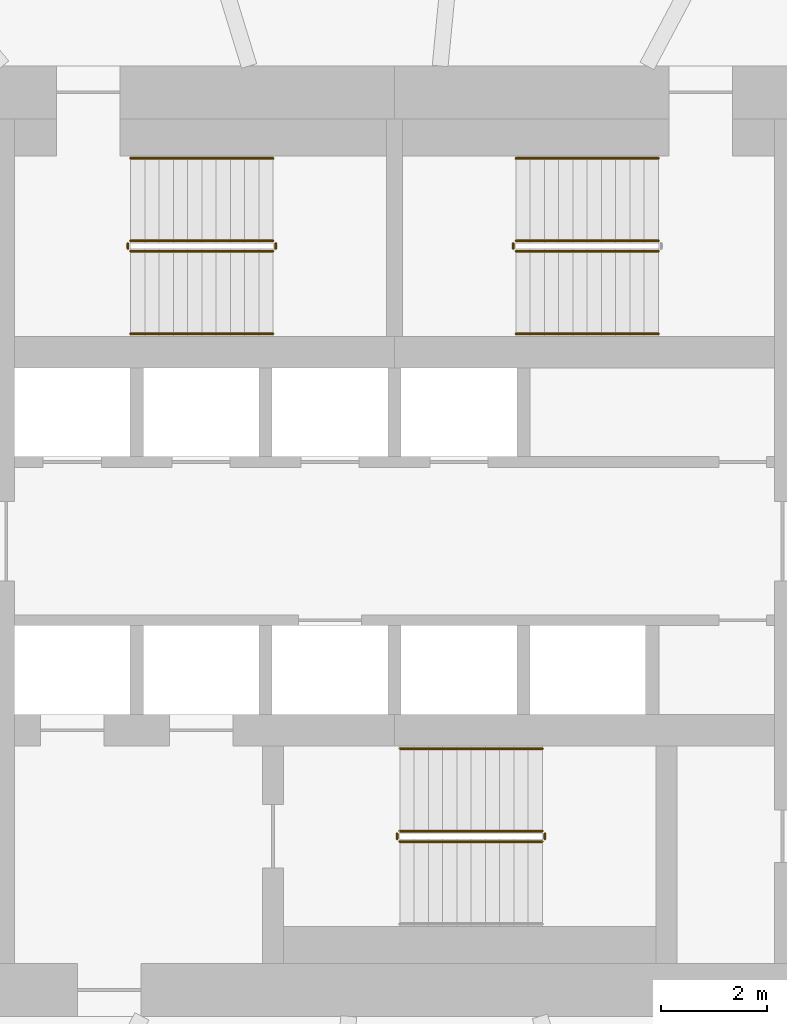
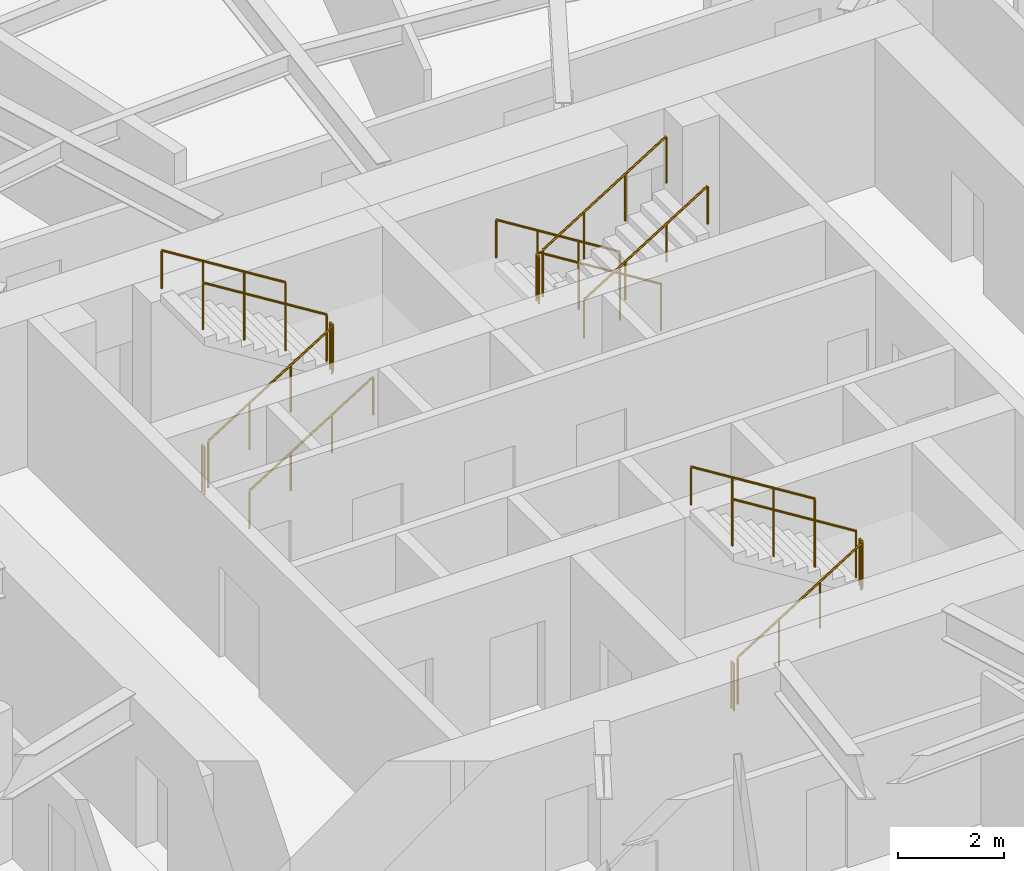
# One storey, part 13 of 16: 16 railings.
"""IFC4 building model written with IfcOpenShell, lengths in metres."""

import ifcopenshell
import ifcopenshell.guid

model = None  # the IFC model being written
_history = None  # IfcOwnerHistory: only IFC2X3 demands one
_inside = {}  # id of a spatial element -> (the spatial element, [elements in it])
_under = {}  # id of a project, library or spatial element -> (it, [spatial elements below it])
_declared = {}  # id of a project -> (the project, [libraries it declares])
_typed = {}  # id of a type object -> (the type object, [elements of that type])
_made_of = {}  # id of a material, layer set ... -> (it, [elements and type objects made of it])


def new_model(schema):
    """Start an empty IFC model of exactly this schema.

    Asked for "IFC4X3", IfcOpenShell would pick the latest addendum, in which some entities
    have other attributes; the version numbers below select the first issue.
    IFC2X3 requires an IfcOwnerHistory on every rooted entity: one is made here for all.
    """
    global model, _history
    if schema == "IFC4X3":
        model = ifcopenshell.file(schema_version=(4, 3, 0, 0))
    else:
        model = ifcopenshell.file(schema=schema)
    _inside.clear()
    _under.clear()
    _declared.clear()
    _typed.clear()
    _made_of.clear()
    _history = None
    if model.schema == "IFC2X3":
        org = make("IfcOrganization", Name="unknown")
        user = make(
            "IfcPersonAndOrganization",
            ThePerson=make("IfcPerson", FamilyName="unknown"),
            TheOrganization=org,
        )
        app = make(
            "IfcApplication",
            ApplicationDeveloper=org,
            Version="unknown",
            ApplicationFullName="unknown",
            ApplicationIdentifier="unknown",
        )
        _history = make(
            "IfcOwnerHistory",
            OwningUser=user,
            OwningApplication=app,
            ChangeAction="ADDED",
            CreationDate=0,
        )
    return model


def make(cls, **values):
    """One entity of the class cls with the attributes given. An attribute that is None is left unset."""
    return model.create_entity(
        cls, **{name: value for name, value in values.items() if value is not None}
    )


def rooted(cls, **values):
    """An entity with a GlobalId (a new one), such as an element, a storey or a relation."""
    return make(cls, GlobalId=ifcopenshell.guid.new(), OwnerHistory=_history, **values)


def si_unit(unit_type, name, prefix=None):
    """IfcSIUnit, for example si_unit("LENGTHUNIT", "METRE", prefix="MILLI")."""
    return make("IfcSIUnit", UnitType=unit_type, Prefix=prefix, Name=name)


def assignment(units):
    """IfcUnitAssignment: the units of a project."""
    return None if units is None else make("IfcUnitAssignment", Units=units)


def point(xyz):
    """IfcCartesianPoint."""
    return None if xyz is None else make("IfcCartesianPoint", Coordinates=xyz)


def direction(xyz):
    """IfcDirection."""
    return None if xyz is None else make("IfcDirection", DirectionRatios=xyz)


def frame(location, z_axis=None, x_axis=None):
    """IfcAxis2Placement3D, a coordinate frame: its origin and axes. An axis left out is left unset."""
    return make(
        "IfcAxis2Placement3D",
        Location=point(location),
        Axis=direction(z_axis),
        RefDirection=direction(x_axis),
    )


def frame_2d(location, x_axis=None):
    """IfcAxis2Placement2D, a coordinate frame in the plane: its origin and x axis."""
    return make(
        "IfcAxis2Placement2D", Location=point(location), RefDirection=direction(x_axis)
    )


def origin():
    """The frame at (0, 0, 0) with its axes left unset."""
    return frame((0.0, 0.0, 0.0))


def origin_2d():
    """The frame at (0, 0) in the plane with its x axis left unset."""
    return frame_2d((0.0, 0.0))


def place(relative_to, where):
    """IfcLocalPlacement: puts the frame where relative to a parent placement (None: the world)."""
    return make(
        "IfcLocalPlacement", PlacementRelTo=relative_to, RelativePlacement=where
    )


def context(
    kind, dimensions, precision=None, world=None, true_north=None, identifier=None
):
    """IfcGeometricRepresentationContext, for example the 3D "Model" context."""
    return make(
        "IfcGeometricRepresentationContext",
        ContextIdentifier=identifier,
        ContextType=kind,
        CoordinateSpaceDimension=dimensions,
        Precision=precision,
        WorldCoordinateSystem=world,
        TrueNorth=true_north,
    )


def subcontext(parent, identifier, kind, view, scale=None):
    """IfcGeometricRepresentationSubContext, for example "Body" below "Model"."""
    return make(
        "IfcGeometricRepresentationSubContext",
        ContextIdentifier=identifier,
        ContextType=kind,
        ParentContext=parent,
        TargetScale=scale,
        TargetView=view,
    )


def project(units=None, contexts=None):
    """IfcProject with its units and contexts."""
    return rooted(
        "IfcProject",
        Name="project",
        RepresentationContexts=contexts,
        UnitsInContext=assignment(units),
    )


def spatial(cls, under=None, at=None, **own):
    """A site, building, storey or space (cls), placed at a placement, below another one or the project."""
    s = rooted(cls, ObjectPlacement=at, **own)
    if under is not None:
        _under.setdefault(under.id(), (under, []))[1].append(s)
    return s


def profile(cls, at=None, kind="AREA", **sizes):
    """A parametric profile (cls). Its sizes go by their IFC names, for example OverallWidth=200.0."""
    return make(cls, ProfileType=kind, Position=at, **sizes)


def circle(**sizes):
    """IfcCircleProfileDef."""
    return profile("IfcCircleProfileDef", **sizes)


def extrude(swept, where, along, depth):
    """IfcExtrudedAreaSolid: the profile swept, set in the frame where, extruded along a direction by depth."""
    return make(
        "IfcExtrudedAreaSolid",
        SweptArea=swept,
        Position=where,
        ExtrudedDirection=direction(along),
        Depth=depth,
    )


def shape(context_of_items, identifier, shape_type, items):
    """IfcShapeRepresentation: the items that make up one representation, for example the "Body"."""
    return make(
        "IfcShapeRepresentation",
        ContextOfItems=context_of_items,
        RepresentationIdentifier=identifier,
        RepresentationType=shape_type,
        Items=items,
    )


def material(Name=None, Category=None):
    """IfcMaterial."""
    return make("IfcMaterial", Name=Name, Category=Category)


def made_of(thing, what):
    """Note that an element or type object is made of a material, layer set ...; save() writes the relation."""
    if what is not None:
        _made_of.setdefault(what.id(), (what, []))[1].append(thing)
    return thing


def type_object(cls, material=None, **own):
    """A type object (cls), such as IfcWallType, which elements share."""
    return made_of(rooted(cls, **own), material)


def element(
    cls,
    number,
    at=None,
    inside=None,
    cuts=None,
    type_object=None,
    material=None,
    context=None,
    identifier="Body",
    shape_type=None,
    held_by="IfcProductDefinitionShape",
    body=None,
    shapes=None,
    **own,
):
    """One element of the class cls, such as IfcWall. Its Tag is "e" and its number.

    at: its placement. inside: the storey or other place that contains it. cuts: it is an
    opening in that element (IfcRelVoidsElement). A single representation is given by context,
    identifier, shape_type and body (its items); several are given by shapes. held_by: the class
    of the entity that holds the representations. save() writes the other relations.
    """
    e = rooted(cls, Tag="e%d" % number, ObjectPlacement=at, **own)
    if body is not None:
        shapes = [shape(context, identifier, shape_type, body)]
    if shapes is not None:
        e.Representation = make(held_by, Representations=shapes)
    if inside is not None:
        _inside.setdefault(inside.id(), (inside, []))[1].append(e)
    if cuts is not None:
        rooted(
            "IfcRelVoidsElement", RelatingBuildingElement=cuts, RelatedOpeningElement=e
        )
    if type_object is not None:
        _typed.setdefault(type_object.id(), (type_object, []))[1].append(e)
    return made_of(e, material)


def aggregate(whole, parts):
    """IfcRelAggregates: a whole, such as a stair, and the parts it consists of."""
    return rooted("IfcRelAggregates", RelatingObject=whole, RelatedObjects=parts)


def save(model, path):
    """Write the relations noted so far, then the file.

    IfcRelAggregates (storeys below a building ...), IfcRelContainedInSpatialStructure (elements
    in a storey), IfcRelDefinesByType, IfcRelAssociatesMaterial and IfcRelDeclares: one each for
    every whole, place, type object, material and project.
    """
    for whole, parts in _under.values():
        aggregate(whole, parts)
    for where, things in _inside.values():
        rooted(
            "IfcRelContainedInSpatialStructure",
            RelatedElements=things,
            RelatingStructure=where,
        )
    for kind, things in _typed.values():
        rooted("IfcRelDefinesByType", RelatedObjects=things, RelatingType=kind)
    for what, things in _made_of.values():
        rooted("IfcRelAssociatesMaterial", RelatedObjects=things, RelatingMaterial=what)
    for by, libraries in _declared.values():
        rooted("IfcRelDeclares", RelatingContext=by, RelatedDefinitions=libraries)
    model.write(path)


model = new_model("IFC4")

# Units and contexts
model_context = context("Model", 3, precision=1e-05, world=origin(), true_north=direction((0.0, 1.0)))
body_context = subcontext(model_context, "Body", "Model", "MODEL_VIEW")
ifc_project = project(units=[si_unit("LENGTHUNIT", "METRE"), si_unit("AREAUNIT", "SQUARE_METRE"), si_unit("VOLUMEUNIT", "CUBIC_METRE"), si_unit("PLANEANGLEUNIT", "RADIAN"), si_unit("MASSUNIT", "GRAM", prefix="KILO")], contexts=[model_context])

# Site, building, storey
site_placement = place(None, origin())
site = spatial("IfcSite", under=ifc_project, at=site_placement, CompositionType="ELEMENT")
building_placement = place(site_placement, origin())
building = spatial("IfcBuilding", under=site, at=building_placement, Name="Vermilion Reach Broadcast Tower", CompositionType="ELEMENT")
storey_placement = place(building_placement, frame((0.0, 0.0, 80.39990234375)))
storey = spatial("IfcBuildingStorey", under=building, at=storey_placement, Name="L17", CompositionType="ELEMENT", Elevation=80.39990234375)

# Railings
ifc_material_1 = material(Name="Stainless steel", Category="steel")
railing_type_1 = type_object("IfcRailingType", Name="Stair guard 1100", PredefinedType="GUARDRAIL", material=ifc_material_1)
railing_1_placement = place(storey_placement, frame((-11.0, 5.489990234375, 0.168212890625)))
element("IfcRailing", 1, at=railing_1_placement, inside=storey, type_object=railing_type_1, Name="L17 ST1 stair guard 1", PredefinedType="GUARDRAIL", context=body_context, shape_type="SweptSolid", body=[
    extrude(circle(Radius=0.02392578125, at=origin_2d()), frame((0.0, 0.0, 1.076171875), z_axis=(0.848786430784, 0.0, 0.528735846068), x_axis=(0.0, 1.0, 0.0)), (0.0, 0.0, 1.0), 3.180908203125),
    extrude(circle(Radius=0.02099609375, at=origin_2d()), origin(), (0.0, 0.0, 1.0), 1.052001953125),
    extrude(circle(Radius=0.02099609375, at=origin_2d()), frame((0.89990234375, 0.0, 0.560546875)), (0.0, 0.0, 1.0), 1.052001953125),
    extrude(circle(Radius=0.02099609375, at=origin_2d()), frame((1.800048828125, 0.0, 1.121337890625)), (0.0, 0.0, 1.0), 1.052001953125),
    extrude(circle(Radius=0.02099609375, at=origin_2d()), frame((2.699951171875, 0.0, 1.681884765625)), (0.0, 0.0, 1.0), 1.052001953125),
])
railing_2_placement = place(storey_placement, frame((-8.25, 5.5400390625, 1.85009765625)))
element("IfcRailing", 2, at=railing_2_placement, inside=storey, type_object=railing_type_1, Name="L17 ST1 stair guard 2", PredefinedType="GUARDRAIL", context=body_context, shape_type="SweptSolid", body=[
    extrude(circle(Radius=0.02392578125, at=origin_2d()), frame((0.0, 0.0, 1.076171875), z_axis=(0.0, 1.0, 0.0), x_axis=(-1.0, 0.0, 0.0)), (0.0, 0.0, 1.0), 0.099853515625),
    extrude(circle(Radius=0.02099609375, at=origin_2d()), origin(), (0.0, 0.0, 1.0), 1.052001953125),
    extrude(circle(Radius=0.02099609375, at=origin_2d()), frame((0.0, 0.099853515625, 0.0)), (0.0, 0.0, 1.0), 1.052001953125),
])
railing_3_placement = place(storey_placement, frame((-8.300048828125, 5.68994140625, 2.018310546875)))
element("IfcRailing", 3, at=railing_3_placement, inside=storey, type_object=railing_type_1, Name="L17 ST1 stair guard 3", PredefinedType="GUARDRAIL", context=body_context, shape_type="SweptSolid", body=[
    extrude(circle(Radius=0.02392578125, at=origin_2d()), frame((0.0, 0.0, 1.076171875), z_axis=(-0.848786430784, 0.0, 0.528735846068), x_axis=(0.0, -1.0, 0.0)), (0.0, 0.0, 1.0), 3.180908203125),
    extrude(circle(Radius=0.02099609375, at=origin_2d()), origin(), (0.0, 0.0, 1.0), 1.052001953125),
    extrude(circle(Radius=0.02099609375, at=origin_2d()), frame((-0.89990234375, 0.0, 0.560546875)), (0.0, 0.0, 1.0), 1.052001953125),
    extrude(circle(Radius=0.02099609375, at=origin_2d()), frame((-1.800048828125, 0.0, 1.121337890625)), (0.0, 0.0, 1.0), 1.052001953125),
    extrude(circle(Radius=0.02099609375, at=origin_2d()), frame((-2.699951171875, 0.0, 1.681884765625)), (0.0, 0.0, 1.0), 1.052001953125),
])
railing_4_placement = place(storey_placement, frame((-11.050048828125, 5.5400390625, 0.0)))
element("IfcRailing", 4, at=railing_4_placement, inside=storey, type_object=railing_type_1, Name="L17 ST1 stair guard 4", PredefinedType="GUARDRAIL", context=body_context, shape_type="SweptSolid", body=[
    extrude(circle(Radius=0.02392578125, at=origin_2d()), frame((0.0, 0.0, 1.076171875), z_axis=(0.0, 1.0, 0.0), x_axis=(-1.0, 0.0, 0.0)), (0.0, 0.0, 1.0), 0.099853515625),
    extrude(circle(Radius=0.02099609375, at=origin_2d()), origin(), (0.0, 0.0, 1.0), 1.052001953125),
    extrude(circle(Radius=0.02099609375, at=origin_2d()), frame((0.0, 0.099853515625, 0.0)), (0.0, 0.0, 1.0), 1.052001953125),
])
railing_5_placement = place(storey_placement, frame((-1.0, 5.68994140625, 0.168212890625)))
element("IfcRailing", 5, at=railing_5_placement, inside=storey, type_object=railing_type_1, Name="L17 ST2 stair guard 1", PredefinedType="GUARDRAIL", context=body_context, shape_type="SweptSolid", body=[
    extrude(circle(Radius=0.02392578125, at=origin_2d()), frame((0.0, 0.0, 1.076171875), z_axis=(-0.848786430784, 0.0, 0.528735846068), x_axis=(0.0, -1.0, 0.0)), (0.0, 0.0, 1.0), 3.180908203125),
    extrude(circle(Radius=0.02099609375, at=origin_2d()), origin(), (0.0, 0.0, 1.0), 1.052001953125),
    extrude(circle(Radius=0.02099609375, at=origin_2d()), frame((-0.89990234375, 0.0, 0.560546875)), (0.0, 0.0, 1.0), 1.052001953125),
    extrude(circle(Radius=0.02099609375, at=origin_2d()), frame((-1.800048828125, 0.0, 1.121337890625)), (0.0, 0.0, 1.0), 1.052001953125),
    extrude(circle(Radius=0.02099609375, at=origin_2d()), frame((-2.699951171875, 0.0, 1.681884765625)), (0.0, 0.0, 1.0), 1.052001953125),
])
railing_6_placement = place(storey_placement, frame((-3.75, 5.639892578125, 1.85009765625)))
element("IfcRailing", 6, at=railing_6_placement, inside=storey, type_object=railing_type_1, Name="L17 ST2 stair guard 2", PredefinedType="GUARDRAIL", context=body_context, shape_type="SweptSolid", body=[
    extrude(circle(Radius=0.02392578125, at=origin_2d()), frame((0.0, 0.0, 1.076171875), z_axis=(0.0, -1.0, 0.0), x_axis=(1.0, 0.0, 0.0)), (0.0, 0.0, 1.0), 0.099853515625),
    extrude(circle(Radius=0.02099609375, at=origin_2d()), origin(), (0.0, 0.0, 1.0), 1.052001953125),
    extrude(circle(Radius=0.02099609375, at=origin_2d()), frame((0.0, -0.099853515625, 0.0)), (0.0, 0.0, 1.0), 1.052001953125),
])
for number, where, name in (
    (7, (-3.699951171875, 5.489990234375, 2.018310546875), "L17 ST2 stair guard 3"),
    (8, (-5.89990234375, -5.68994140625, 0.168212890625), "L17 ST3 stair guard 1"),
):
    element("IfcRailing", number, at=place(storey_placement, frame(where)), inside=storey, type_object=railing_type_1, Name=name, PredefinedType="GUARDRAIL", context=body_context, shape_type="SweptSolid", body=[
        extrude(circle(Radius=0.02392578125, at=origin_2d()), frame((0.0, 0.0, 1.076171875), z_axis=(0.848786430784, 0.0, 0.528735846068), x_axis=(0.0, 1.0, 0.0)), (0.0, 0.0, 1.0), 3.180908203125),
        extrude(circle(Radius=0.02099609375, at=origin_2d()), origin(), (0.0, 0.0, 1.0), 1.052001953125),
        extrude(circle(Radius=0.02099609375, at=origin_2d()), frame((0.89990234375, 0.0, 0.560546875)), (0.0, 0.0, 1.0), 1.052001953125),
        extrude(circle(Radius=0.02099609375, at=origin_2d()), frame((1.800048828125, 0.0, 1.121337890625)), (0.0, 0.0, 1.0), 1.052001953125),
        extrude(circle(Radius=0.02099609375, at=origin_2d()), frame((2.699951171875, 0.0, 1.681884765625)), (0.0, 0.0, 1.0), 1.052001953125),
    ])
railing_7_placement = place(storey_placement, frame((-3.14990234375, -5.639892578125, 1.85009765625)))
element("IfcRailing", 9, at=railing_7_placement, inside=storey, type_object=railing_type_1, Name="L17 ST3 stair guard 2", PredefinedType="GUARDRAIL", context=body_context, shape_type="SweptSolid", body=[
    extrude(circle(Radius=0.02392578125, at=origin_2d()), frame((0.0, 0.0, 1.076171875), z_axis=(0.0, 1.0, 0.0), x_axis=(-1.0, 0.0, 0.0)), (0.0, 0.0, 1.0), 0.099853515625),
    extrude(circle(Radius=0.02099609375, at=origin_2d()), origin(), (0.0, 0.0, 1.0), 1.052001953125),
    extrude(circle(Radius=0.02099609375, at=origin_2d()), frame((0.0, 0.099853515625, 0.0)), (0.0, 0.0, 1.0), 1.052001953125),
])
railing_8_placement = place(storey_placement, frame((-3.199951171875, -5.489990234375, 2.018310546875)))
element("IfcRailing", 10, at=railing_8_placement, inside=storey, type_object=railing_type_1, Name="L17 ST3 stair guard 3", PredefinedType="GUARDRAIL", context=body_context, shape_type="SweptSolid", body=[
    extrude(circle(Radius=0.02392578125, at=origin_2d()), frame((0.0, 0.0, 1.076171875), z_axis=(-0.848786430784, 0.0, 0.528735846068), x_axis=(0.0, -1.0, 0.0)), (0.0, 0.0, 1.0), 3.180908203125),
    extrude(circle(Radius=0.02099609375, at=origin_2d()), origin(), (0.0, 0.0, 1.0), 1.052001953125),
    extrude(circle(Radius=0.02099609375, at=origin_2d()), frame((-0.89990234375, 0.0, 0.560546875)), (0.0, 0.0, 1.0), 1.052001953125),
    extrude(circle(Radius=0.02099609375, at=origin_2d()), frame((-1.800048828125, 0.0, 1.121337890625)), (0.0, 0.0, 1.0), 1.052001953125),
    extrude(circle(Radius=0.02099609375, at=origin_2d()), frame((-2.699951171875, 0.0, 1.681884765625)), (0.0, 0.0, 1.0), 1.052001953125),
])
railing_9_placement = place(storey_placement, frame((-5.949951171875, -5.639892578125, 0.0)))
element("IfcRailing", 11, at=railing_9_placement, inside=storey, type_object=railing_type_1, Name="L17 ST3 stair guard 4", PredefinedType="GUARDRAIL", context=body_context, shape_type="SweptSolid", body=[
    extrude(circle(Radius=0.02392578125, at=origin_2d()), frame((0.0, 0.0, 1.076171875), z_axis=(0.0, 1.0, 0.0), x_axis=(-1.0, 0.0, 0.0)), (0.0, 0.0, 1.0), 0.099853515625),
    extrude(circle(Radius=0.02099609375, at=origin_2d()), origin(), (0.0, 0.0, 1.0), 1.052001953125),
    extrude(circle(Radius=0.02099609375, at=origin_2d()), frame((0.0, 0.099853515625, 0.0)), (0.0, 0.0, 1.0), 1.052001953125),
])
ifc_material_2 = material(Name="Stainless steel", Category="steel")
railing_type_2 = type_object("IfcRailingType", Name="Stair handrail", PredefinedType="HANDRAIL", material=ifc_material_2)
railing_10_placement = place(storey_placement, frame((-11.0, 3.929931640625, 0.168212890625)))
element("IfcRailing", 12, at=railing_10_placement, inside=storey, type_object=railing_type_2, Name="L17 ST1 stair handrail 1", PredefinedType="HANDRAIL", context=body_context, shape_type="SweptSolid", body=[
    extrude(circle(Radius=0.02392578125, at=origin_2d()), frame((0.0, 0.0, 0.8759765625), z_axis=(0.848786430784, 0.0, 0.528735846068), x_axis=(0.0, 1.0, 0.0)), (0.0, 0.0, 1.0), 3.180908203125),
    extrude(circle(Radius=0.02099609375, at=origin_2d()), origin(), (0.0, 0.0, 1.0), 0.851806640625),
    extrude(circle(Radius=0.02099609375, at=origin_2d()), frame((0.89990234375, 0.0, 0.560546875)), (0.0, 0.0, 1.0), 0.851806640625),
    extrude(circle(Radius=0.02099609375, at=origin_2d()), frame((1.800048828125, 0.0, 1.121337890625)), (0.0, 0.0, 1.0), 0.851806640625),
    extrude(circle(Radius=0.02099609375, at=origin_2d()), frame((2.699951171875, 0.0, 1.681884765625)), (0.0, 0.0, 1.0), 0.851806640625),
])
for number, where, name in (
    (13, (-8.300048828125, 7.25, 2.018310546875), "L17 ST1 stair handrail 2"),
    (14, (-1.0, 7.25, 0.168212890625), "L17 ST2 stair handrail 1"),
):
    element("IfcRailing", number, at=place(storey_placement, frame(where)), inside=storey, type_object=railing_type_2, Name=name, PredefinedType="HANDRAIL", context=body_context, shape_type="SweptSolid", body=[
        extrude(circle(Radius=0.02392578125, at=origin_2d()), frame((0.0, 0.0, 0.8759765625), z_axis=(-0.848786430784, 0.0, 0.528735846068), x_axis=(0.0, -1.0, 0.0)), (0.0, 0.0, 1.0), 3.180908203125),
        extrude(circle(Radius=0.02099609375, at=origin_2d()), origin(), (0.0, 0.0, 1.0), 0.851806640625),
        extrude(circle(Radius=0.02099609375, at=origin_2d()), frame((-0.89990234375, 0.0, 0.560546875)), (0.0, 0.0, 1.0), 0.851806640625),
        extrude(circle(Radius=0.02099609375, at=origin_2d()), frame((-1.800048828125, 0.0, 1.121337890625)), (0.0, 0.0, 1.0), 0.851806640625),
        extrude(circle(Radius=0.02099609375, at=origin_2d()), frame((-2.699951171875, 0.0, 1.681884765625)), (0.0, 0.0, 1.0), 0.851806640625),
    ])
railing_11_placement = place(storey_placement, frame((-3.699951171875, 3.929931640625, 2.018310546875)))
element("IfcRailing", 15, at=railing_11_placement, inside=storey, type_object=railing_type_2, Name="L17 ST2 stair handrail 2", PredefinedType="HANDRAIL", context=body_context, shape_type="SweptSolid", body=[
    extrude(circle(Radius=0.02392578125, at=origin_2d()), frame((0.0, 0.0, 0.8759765625), z_axis=(0.848786430784, 0.0, 0.528735846068), x_axis=(0.0, 1.0, 0.0)), (0.0, 0.0, 1.0), 3.180908203125),
    extrude(circle(Radius=0.02099609375, at=origin_2d()), origin(), (0.0, 0.0, 1.0), 0.851806640625),
    extrude(circle(Radius=0.02099609375, at=origin_2d()), frame((0.89990234375, 0.0, 0.560546875)), (0.0, 0.0, 1.0), 0.851806640625),
    extrude(circle(Radius=0.02099609375, at=origin_2d()), frame((1.800048828125, 0.0, 1.121337890625)), (0.0, 0.0, 1.0), 0.851806640625),
    extrude(circle(Radius=0.02099609375, at=origin_2d()), frame((2.699951171875, 0.0, 1.681884765625)), (0.0, 0.0, 1.0), 0.851806640625),
])
railing_12_placement = place(storey_placement, frame((-3.199951171875, -3.929931640625, 2.018310546875)))
element("IfcRailing", 16, at=railing_12_placement, inside=storey, type_object=railing_type_2, Name="L17 ST3 stair handrail 2", PredefinedType="HANDRAIL", context=body_context, shape_type="SweptSolid", body=[
    extrude(circle(Radius=0.02392578125, at=origin_2d()), frame((0.0, 0.0, 0.8759765625), z_axis=(-0.848786430784, 0.0, 0.528735846068), x_axis=(0.0, -1.0, 0.0)), (0.0, 0.0, 1.0), 3.180908203125),
    extrude(circle(Radius=0.02099609375, at=origin_2d()), origin(), (0.0, 0.0, 1.0), 0.851806640625),
    extrude(circle(Radius=0.02099609375, at=origin_2d()), frame((-0.89990234375, 0.0, 0.560546875)), (0.0, 0.0, 1.0), 0.851806640625),
    extrude(circle(Radius=0.02099609375, at=origin_2d()), frame((-1.800048828125, 0.0, 1.121337890625)), (0.0, 0.0, 1.0), 0.851806640625),
    extrude(circle(Radius=0.02099609375, at=origin_2d()), frame((-2.699951171875, 0.0, 1.681884765625)), (0.0, 0.0, 1.0), 0.851806640625),
])

save(model, "model.ifc")
